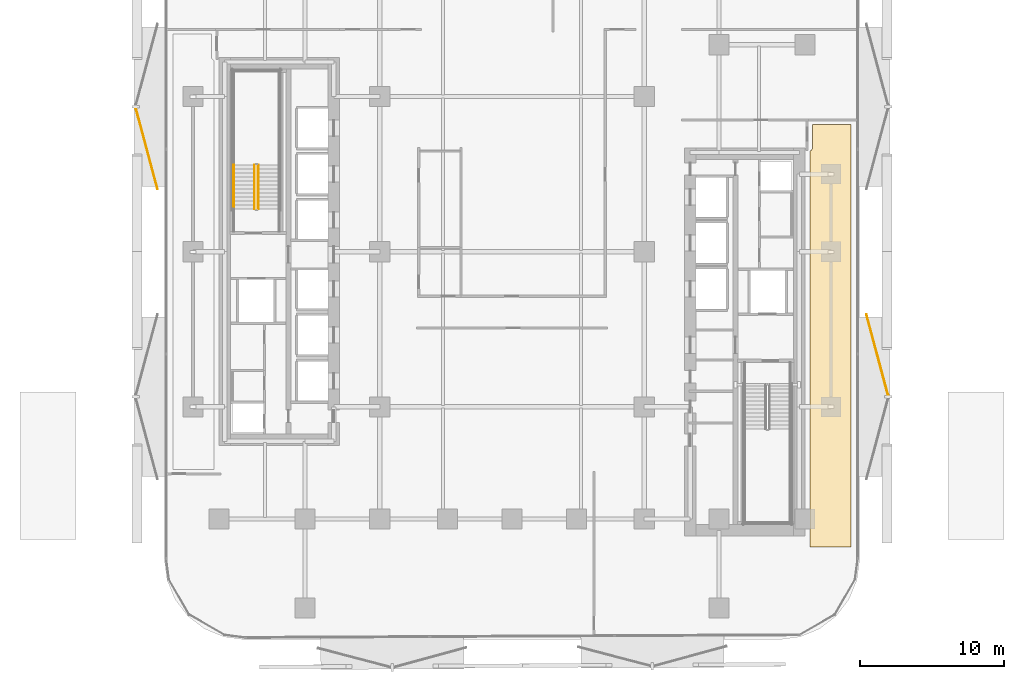
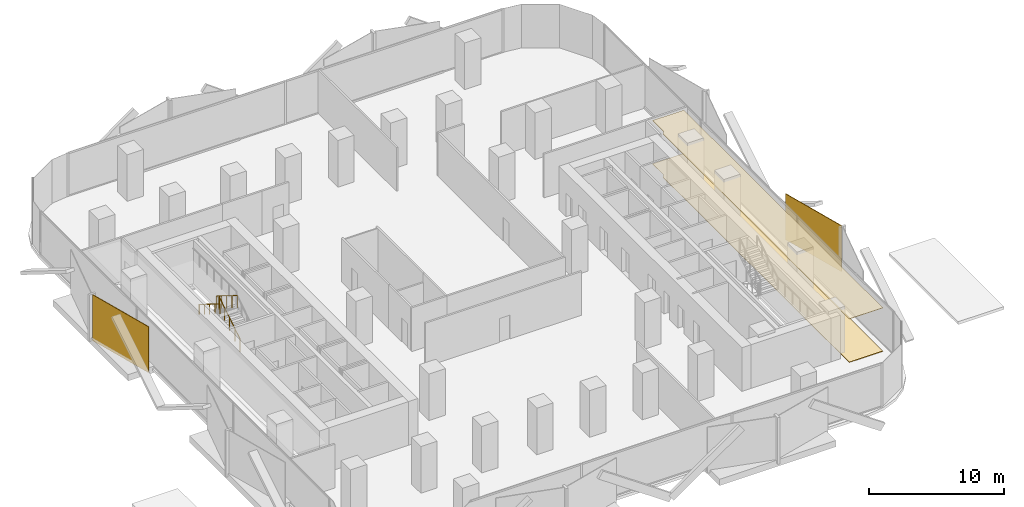
# One storey, part 14 of 16: 4 coverings, 3 railings.
"""IFC4 building model written with IfcOpenShell, lengths in metres."""

from ifc_helpers import new_model, si_unit, direction, frame, origin, origin_2d, place, context, subcontext, project, spatial, polyline, rectangle, circle, outline, extrude, material, layer, layer_set, type_object, element, save


model = new_model("IFC4")

# Units and contexts
model_context = context("Model", 3, precision=1e-05, world=origin(), true_north=direction((0.0, 1.0)))
body_context = subcontext(model_context, "Body", "Model", "MODEL_VIEW")
ifc_project = project(units=[si_unit("LENGTHUNIT", "METRE"), si_unit("AREAUNIT", "SQUARE_METRE"), si_unit("VOLUMEUNIT", "CUBIC_METRE"), si_unit("PLANEANGLEUNIT", "RADIAN"), si_unit("MASSUNIT", "GRAM", prefix="KILO")], contexts=[model_context])

# Site, building, storey
site_placement = place(None, origin())
site = spatial("IfcSite", under=ifc_project, at=site_placement, CompositionType="ELEMENT")
building_placement = place(site_placement, origin())
building = spatial("IfcBuilding", under=site, at=building_placement, Name="Khairoan Windgate Tower", CompositionType="ELEMENT")
storey_placement = place(building_placement, frame((0.0, 0.0, 26.0)))
storey = spatial("IfcBuildingStorey", under=building, at=storey_placement, Name="L06", CompositionType="ELEMENT", Elevation=26.0)

# Coverings
ifc_material_1 = material(Name="Engineered Teak Timber", Category="wood")
ifc_layer_1 = layer(ifc_material_1, 0.0400390625, Name="Engineered Teak Timber")
ifc_layer_set_1 = layer_set([ifc_layer_1], Name="Engineered Teak Timber")
covering_type_1 = type_object("IfcCoveringType", Name="Engineered Teak Residence Flooring", PredefinedType="FLOORING", material=ifc_layer_set_1)
covering_1_placement = place(storey_placement, origin())
element("IfcCovering", 1, at=covering_1_placement, inside=storey, type_object=covering_type_1, Name="L06 L06 East Flank Office Finish Flooring", PredefinedType="FLOORING", context=body_context, shape_type="SweptSolid", body=[
    extrude(outline(polyline([(20.72998046875, 6.996826171875), (20.736083984375, 6.99951171875), (20.7431640625, 7.002685546875), (20.768310546875, 7.01611328125), (20.77490234375, 7.020263671875), (20.79248046875, 7.031982421875), (20.798828125, 7.03662109375), (20.817626953125, 7.052001953125), (20.823486328125, 7.057373046875), (20.8427734375, 7.076416015625), (20.847900390625, 7.082275390625), (20.86328125, 7.101318359375), (20.867919921875, 7.107666015625), (20.879638671875, 7.125), (20.8837890625, 7.1318359375), (20.897216796875, 7.156982421875), (20.900634765625, 7.1640625), (20.90869140625, 7.18359375), (20.91162109375, 7.191162109375), (20.919189453125, 7.21630859375), (20.9208984375, 7.223876953125), (20.926025390625, 7.24951171875), (20.92724609375, 7.25732421875), (20.92919921875, 7.279296875), (20.9296875, 7.287109375), (20.929931640625, 7.300048828125), (20.929931640625, 8.85009765625), (23.60009765625, 8.85009765625), (23.60009765625, -20.550048828125), (20.72998046875, -20.550048828125), (20.72998046875, 6.996826171875)])), origin(), (0.0, 0.0, 1.0), 0.0400390625),
])
ifc_material_2 = material(Name="Acoustic Mineral Fibre Ceiling", Category="gypsum")
ifc_layer_2 = layer(ifc_material_2, 0.0400390625, Name="Acoustic Mineral Fibre Ceiling")
ifc_layer_set_2 = layer_set([ifc_layer_2], Name="Acoustic Mineral Fibre Ceiling")
covering_type_2 = type_object("IfcCoveringType", Name="Flush Acoustic Mineral Ceiling Panel", PredefinedType="CEILING", material=ifc_layer_set_2)
covering_2_placement = place(storey_placement, frame((0.0, 0.0, 3.89990234375)))
element("IfcCovering", 2, at=covering_2_placement, inside=storey, type_object=covering_type_2, Name="L06 L06 East Flank Office Acoustic Ceiling", PredefinedType="CEILING", context=body_context, shape_type="SweptSolid", body=[
    extrude(outline(polyline([(20.72998046875, 6.996826171875), (20.736083984375, 6.99951171875), (20.7431640625, 7.002685546875), (20.768310546875, 7.01611328125), (20.77490234375, 7.020263671875), (20.79248046875, 7.031982421875), (20.798828125, 7.03662109375), (20.817626953125, 7.052001953125), (20.823486328125, 7.057373046875), (20.8427734375, 7.076416015625), (20.847900390625, 7.082275390625), (20.86328125, 7.101318359375), (20.867919921875, 7.107666015625), (20.879638671875, 7.125), (20.8837890625, 7.1318359375), (20.897216796875, 7.156982421875), (20.900634765625, 7.1640625), (20.90869140625, 7.18359375), (20.91162109375, 7.191162109375), (20.919189453125, 7.21630859375), (20.9208984375, 7.223876953125), (20.926025390625, 7.24951171875), (20.92724609375, 7.25732421875), (20.92919921875, 7.279296875), (20.9296875, 7.287109375), (20.929931640625, 7.300048828125), (20.929931640625, 8.85009765625), (23.60009765625, 8.85009765625), (23.60009765625, -20.550048828125), (20.72998046875, -20.550048828125), (20.72998046875, 6.996826171875)])), origin(), (0.0, 0.0, 1.0), 0.0400390625),
])
ifc_material_3 = material(Name="Anodised Bronze Aluminium 6063-T6", Category="aluminium")
ifc_layer_3 = layer(ifc_material_3, 0.054931640625, Name="Anodised Bronze Aluminium 6063-T6")
ifc_layer_set_3 = layer_set([ifc_layer_3], Name="Anodised Bronze Aluminium 6063-T6")
covering_type_3 = type_object("IfcCoveringType", Name="Perforated Bronze-Ceramic Folded Solar Screen Cladding BSC-1", PredefinedType="CLADDING", material=ifc_layer_set_3)
for number, where, z_axis, x_axis, name in (
    (3, (-25.42236328125, 7.177734375, -0.10009765625), (0.0, 0.0, 1.0), (-0.258819045103, 0.965925826289, 0.0), "L06 Folded Bronze Solar Screen Facet 4L"),
    (4, (25.42236328125, -7.177734375, -0.10009765625), (0.0, 0.0, 1.0), (0.258819045103, -0.965925826289, 0.0), "L06 Folded Bronze Solar Screen Facet 8L"),
):
    element("IfcCovering", number, at=place(storey_placement, frame(where, z_axis=z_axis, x_axis=x_axis)), inside=storey, type_object=covering_type_3, Name=name, PredefinedType="CLADDING", context=body_context, shape_type="SweptSolid", body=[
        extrude(rectangle(XDim=5.85498046875, YDim=0.054931640625, at=origin_2d()), origin(), (0.0, 0.0, 1.0), 4.139892578125),
    ])

# Railings
ifc_material_4 = material(Name="Anodised Bronze Aluminium 6063-T6", Category="aluminium")
railing_type_1 = type_object("IfcRailingType", Name="Stair Wall Handrail SHR-900", PredefinedType="HANDRAIL", material=ifc_material_4)
railing_1_placement = place(storey_placement, frame((-19.3701171875, 6.0400390625, 2.27490234375)))
element("IfcRailing", 5, at=railing_1_placement, inside=storey, type_object=railing_type_1, Name="L06 ST2 stair handrail 2", PredefinedType="HANDRAIL", context=body_context, shape_type="SweptSolid", body=[
    extrude(circle(Radius=0.02392578125, at=origin_2d()), frame((0.0, 0.0, 0.8759765625), z_axis=(0.0, -0.847998304005, 0.529998940003), x_axis=(1.0, 0.0, 0.0)), (0.0, 0.0, 1.0), 3.632080078125),
    extrude(circle(Radius=0.02099609375, at=origin_2d()), origin(), (0.0, 0.0, 1.0), 0.851806640625),
    extrude(circle(Radius=0.02099609375, at=origin_2d()), frame((0.0, -0.77001953125, 0.481201171875)), (0.0, 0.0, 1.0), 0.851806640625),
    extrude(circle(Radius=0.02099609375, at=origin_2d()), frame((0.0, -1.5400390625, 0.96240234375)), (0.0, 0.0, 1.0), 0.851806640625),
    extrude(circle(Radius=0.02099609375, at=origin_2d()), frame((0.0, -2.31005859375, 1.44384765625)), (0.0, 0.0, 1.0), 0.851806640625),
    extrude(circle(Radius=0.02099609375, at=origin_2d()), frame((0.0, -3.080078125, 1.925048828125)), (0.0, 0.0, 1.0), 0.851806640625),
])
ifc_material_5 = material(Name="Steel S355", Category="steel")
railing_type_2 = type_object("IfcRailingType", Name="Stairwell Safety Guardrail SGR-1150", PredefinedType="GUARDRAIL", material=ifc_material_5)
railing_2_placement = place(storey_placement, frame((-17.659912109375, 2.9599609375, 0.175048828125)))
element("IfcRailing", 6, at=railing_2_placement, inside=storey, type_object=railing_type_2, Name="L06 ST2 stair guard 1", PredefinedType="GUARDRAIL", context=body_context, shape_type="SweptSolid", body=[
    extrude(circle(Radius=0.02392578125, at=origin_2d()), frame((0.0, 0.0, 1.1259765625), z_axis=(0.0, 0.847998304005, 0.529998940003), x_axis=(-1.0, 0.0, 0.0)), (0.0, 0.0, 1.0), 3.632080078125),
    extrude(circle(Radius=0.02099609375, at=origin_2d()), origin(), (0.0, 0.0, 1.0), 1.101806640625),
    extrude(circle(Radius=0.02099609375, at=origin_2d()), frame((0.0, 0.77001953125, 0.481201171875)), (0.0, 0.0, 1.0), 1.101806640625),
    extrude(circle(Radius=0.02099609375, at=origin_2d()), frame((0.0, 1.5400390625, 0.96240234375)), (0.0, 0.0, 1.0), 1.101806640625),
    extrude(circle(Radius=0.02099609375, at=origin_2d()), frame((0.0, 2.31005859375, 1.44384765625)), (0.0, 0.0, 1.0), 1.101806640625),
    extrude(circle(Radius=0.02099609375, at=origin_2d()), frame((0.0, 3.080078125, 1.925048828125)), (0.0, 0.0, 1.0), 1.101806640625),
])
railing_3_placement = place(storey_placement, frame((-17.909912109375, 6.0400390625, 2.27490234375)))
element("IfcRailing", 7, at=railing_3_placement, inside=storey, type_object=railing_type_2, Name="L06 ST2 stair guard 6", PredefinedType="GUARDRAIL", context=body_context, shape_type="SweptSolid", body=[
    extrude(circle(Radius=0.02392578125, at=origin_2d()), frame((0.0, 0.0, 1.1259765625), z_axis=(0.0, -0.847998304005, 0.529998940003), x_axis=(1.0, 0.0, 0.0)), (0.0, 0.0, 1.0), 3.632080078125),
    extrude(circle(Radius=0.02099609375, at=origin_2d()), origin(), (0.0, 0.0, 1.0), 1.101806640625),
    extrude(circle(Radius=0.02099609375, at=origin_2d()), frame((0.0, -0.77001953125, 0.481201171875)), (0.0, 0.0, 1.0), 1.101806640625),
    extrude(circle(Radius=0.02099609375, at=origin_2d()), frame((0.0, -1.5400390625, 0.96240234375)), (0.0, 0.0, 1.0), 1.101806640625),
    extrude(circle(Radius=0.02099609375, at=origin_2d()), frame((0.0, -2.31005859375, 1.44384765625)), (0.0, 0.0, 1.0), 1.101806640625),
    extrude(circle(Radius=0.02099609375, at=origin_2d()), frame((0.0, -3.080078125, 1.925048828125)), (0.0, 0.0, 1.0), 1.101806640625),
])

save(model, "model.ifc")
